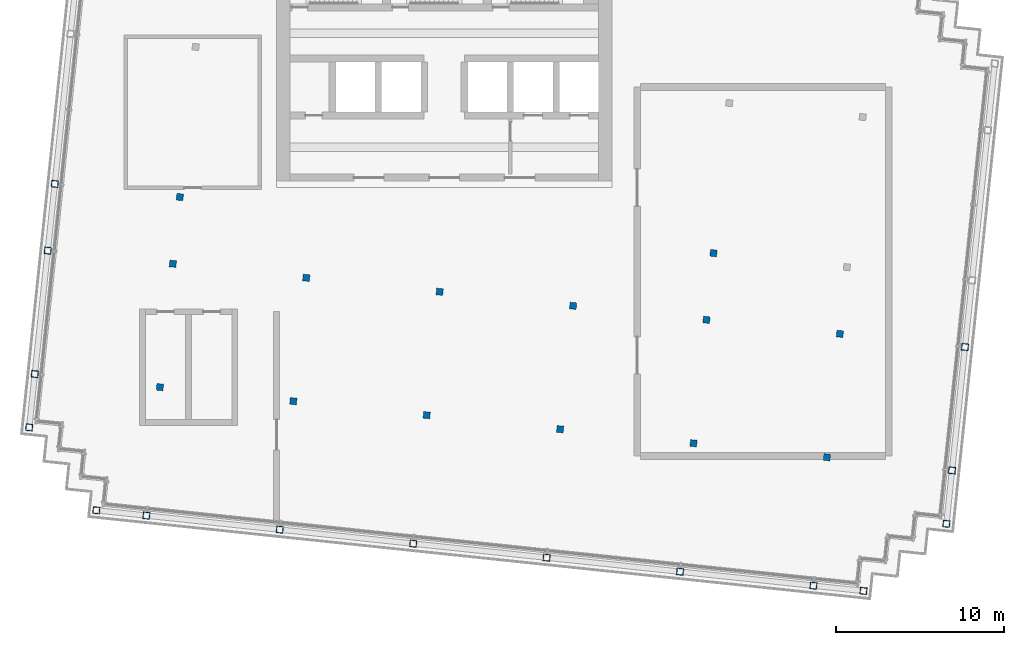
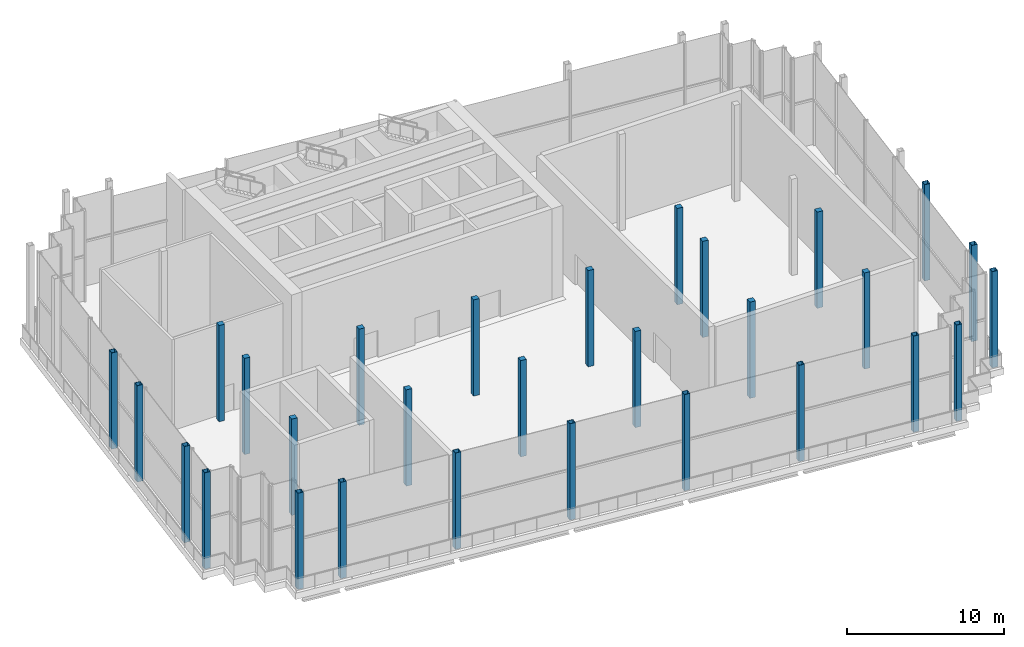
# One storey, part 1 of 14: 29 columns.
"""IFC4 building model written with IfcOpenShell, lengths in metres."""

import ifcopenshell
import ifcopenshell.guid

model = None  # the IFC model being written
_history = None  # IfcOwnerHistory: only IFC2X3 demands one
_inside = {}  # id of a spatial element -> (the spatial element, [elements in it])
_under = {}  # id of a project, library or spatial element -> (it, [spatial elements below it])
_declared = {}  # id of a project -> (the project, [libraries it declares])
_typed = {}  # id of a type object -> (the type object, [elements of that type])
_made_of = {}  # id of a material, layer set ... -> (it, [elements and type objects made of it])


def new_model(schema):
    """Start an empty IFC model of exactly this schema.

    Asked for "IFC4X3", IfcOpenShell would pick the latest addendum, in which some entities
    have other attributes; the version numbers below select the first issue.
    IFC2X3 requires an IfcOwnerHistory on every rooted entity: one is made here for all.
    """
    global model, _history
    if schema == "IFC4X3":
        model = ifcopenshell.file(schema_version=(4, 3, 0, 0))
    else:
        model = ifcopenshell.file(schema=schema)
    _inside.clear()
    _under.clear()
    _declared.clear()
    _typed.clear()
    _made_of.clear()
    _history = None
    if model.schema == "IFC2X3":
        org = make("IfcOrganization", Name="unknown")
        user = make(
            "IfcPersonAndOrganization",
            ThePerson=make("IfcPerson", FamilyName="unknown"),
            TheOrganization=org,
        )
        app = make(
            "IfcApplication",
            ApplicationDeveloper=org,
            Version="unknown",
            ApplicationFullName="unknown",
            ApplicationIdentifier="unknown",
        )
        _history = make(
            "IfcOwnerHistory",
            OwningUser=user,
            OwningApplication=app,
            ChangeAction="ADDED",
            CreationDate=0,
        )
    return model


def make(cls, **values):
    """One entity of the class cls with the attributes given. An attribute that is None is left unset."""
    return model.create_entity(
        cls, **{name: value for name, value in values.items() if value is not None}
    )


def rooted(cls, **values):
    """An entity with a GlobalId (a new one), such as an element, a storey or a relation."""
    return make(cls, GlobalId=ifcopenshell.guid.new(), OwnerHistory=_history, **values)


def si_unit(unit_type, name, prefix=None):
    """IfcSIUnit, for example si_unit("LENGTHUNIT", "METRE", prefix="MILLI")."""
    return make("IfcSIUnit", UnitType=unit_type, Prefix=prefix, Name=name)


def assignment(units):
    """IfcUnitAssignment: the units of a project."""
    return None if units is None else make("IfcUnitAssignment", Units=units)


def point(xyz):
    """IfcCartesianPoint."""
    return None if xyz is None else make("IfcCartesianPoint", Coordinates=xyz)


def direction(xyz):
    """IfcDirection."""
    return None if xyz is None else make("IfcDirection", DirectionRatios=xyz)


def frame(location, z_axis=None, x_axis=None):
    """IfcAxis2Placement3D, a coordinate frame: its origin and axes. An axis left out is left unset."""
    return make(
        "IfcAxis2Placement3D",
        Location=point(location),
        Axis=direction(z_axis),
        RefDirection=direction(x_axis),
    )


def frame_2d(location, x_axis=None):
    """IfcAxis2Placement2D, a coordinate frame in the plane: its origin and x axis."""
    return make(
        "IfcAxis2Placement2D", Location=point(location), RefDirection=direction(x_axis)
    )


def origin():
    """The frame at (0, 0, 0) with its axes left unset."""
    return frame((0.0, 0.0, 0.0))


def origin_2d():
    """The frame at (0, 0) in the plane with its x axis left unset."""
    return frame_2d((0.0, 0.0))


def place(relative_to, where):
    """IfcLocalPlacement: puts the frame where relative to a parent placement (None: the world)."""
    return make(
        "IfcLocalPlacement", PlacementRelTo=relative_to, RelativePlacement=where
    )


def context(
    kind, dimensions, precision=None, world=None, true_north=None, identifier=None
):
    """IfcGeometricRepresentationContext, for example the 3D "Model" context."""
    return make(
        "IfcGeometricRepresentationContext",
        ContextIdentifier=identifier,
        ContextType=kind,
        CoordinateSpaceDimension=dimensions,
        Precision=precision,
        WorldCoordinateSystem=world,
        TrueNorth=true_north,
    )


def subcontext(parent, identifier, kind, view, scale=None):
    """IfcGeometricRepresentationSubContext, for example "Body" below "Model"."""
    return make(
        "IfcGeometricRepresentationSubContext",
        ContextIdentifier=identifier,
        ContextType=kind,
        ParentContext=parent,
        TargetScale=scale,
        TargetView=view,
    )


def project(units=None, contexts=None):
    """IfcProject with its units and contexts."""
    return rooted(
        "IfcProject",
        Name="project",
        RepresentationContexts=contexts,
        UnitsInContext=assignment(units),
    )


def spatial(cls, under=None, at=None, **own):
    """A site, building, storey or space (cls), placed at a placement, below another one or the project."""
    s = rooted(cls, ObjectPlacement=at, **own)
    if under is not None:
        _under.setdefault(under.id(), (under, []))[1].append(s)
    return s


def profile(cls, at=None, kind="AREA", **sizes):
    """A parametric profile (cls). Its sizes go by their IFC names, for example OverallWidth=200.0."""
    return make(cls, ProfileType=kind, Position=at, **sizes)


def rectangle(**sizes):
    """IfcRectangleProfileDef."""
    return profile("IfcRectangleProfileDef", **sizes)


def hollow_rectangle(**sizes):
    """IfcRectangleHollowProfileDef."""
    return profile("IfcRectangleHollowProfileDef", **sizes)


def extrude(swept, where, along, depth):
    """IfcExtrudedAreaSolid: the profile swept, set in the frame where, extruded along a direction by depth."""
    return make(
        "IfcExtrudedAreaSolid",
        SweptArea=swept,
        Position=where,
        ExtrudedDirection=direction(along),
        Depth=depth,
    )


def shape(context_of_items, identifier, shape_type, items):
    """IfcShapeRepresentation: the items that make up one representation, for example the "Body"."""
    return make(
        "IfcShapeRepresentation",
        ContextOfItems=context_of_items,
        RepresentationIdentifier=identifier,
        RepresentationType=shape_type,
        Items=items,
    )


def material(Name=None, Category=None):
    """IfcMaterial."""
    return make("IfcMaterial", Name=Name, Category=Category)


def material_profile(
    of_material, cross_section, Name=None, Category=None, Priority=None
):
    """IfcMaterialProfile: a cross section and its material."""
    return make(
        "IfcMaterialProfile",
        Name=Name,
        Material=of_material,
        Profile=cross_section,
        Priority=Priority,
        Category=Category,
    )


def profile_set(profiles, Name=None, composite=None):
    """IfcMaterialProfileSet."""
    return make(
        "IfcMaterialProfileSet",
        Name=Name,
        MaterialProfiles=profiles,
        CompositeProfile=composite,
    )


def made_of(thing, what):
    """Note that an element or type object is made of a material, layer set ...; save() writes the relation."""
    if what is not None:
        _made_of.setdefault(what.id(), (what, []))[1].append(thing)
    return thing


def type_object(cls, material=None, **own):
    """A type object (cls), such as IfcWallType, which elements share."""
    return made_of(rooted(cls, **own), material)


def element(
    cls,
    number,
    at=None,
    inside=None,
    cuts=None,
    type_object=None,
    material=None,
    context=None,
    identifier="Body",
    shape_type=None,
    held_by="IfcProductDefinitionShape",
    body=None,
    shapes=None,
    **own,
):
    """One element of the class cls, such as IfcWall. Its Tag is "e" and its number.

    at: its placement. inside: the storey or other place that contains it. cuts: it is an
    opening in that element (IfcRelVoidsElement). A single representation is given by context,
    identifier, shape_type and body (its items); several are given by shapes. held_by: the class
    of the entity that holds the representations. save() writes the other relations.
    """
    e = rooted(cls, Tag="e%d" % number, ObjectPlacement=at, **own)
    if body is not None:
        shapes = [shape(context, identifier, shape_type, body)]
    if shapes is not None:
        e.Representation = make(held_by, Representations=shapes)
    if inside is not None:
        _inside.setdefault(inside.id(), (inside, []))[1].append(e)
    if cuts is not None:
        rooted(
            "IfcRelVoidsElement", RelatingBuildingElement=cuts, RelatedOpeningElement=e
        )
    if type_object is not None:
        _typed.setdefault(type_object.id(), (type_object, []))[1].append(e)
    return made_of(e, material)


def aggregate(whole, parts):
    """IfcRelAggregates: a whole, such as a stair, and the parts it consists of."""
    return rooted("IfcRelAggregates", RelatingObject=whole, RelatedObjects=parts)


def save(model, path):
    """Write the relations noted so far, then the file.

    IfcRelAggregates (storeys below a building ...), IfcRelContainedInSpatialStructure (elements
    in a storey), IfcRelDefinesByType, IfcRelAssociatesMaterial and IfcRelDeclares: one each for
    every whole, place, type object, material and project.
    """
    for whole, parts in _under.values():
        aggregate(whole, parts)
    for where, things in _inside.values():
        rooted(
            "IfcRelContainedInSpatialStructure",
            RelatedElements=things,
            RelatingStructure=where,
        )
    for kind, things in _typed.values():
        rooted("IfcRelDefinesByType", RelatedObjects=things, RelatingType=kind)
    for what, things in _made_of.values():
        rooted("IfcRelAssociatesMaterial", RelatedObjects=things, RelatingMaterial=what)
    for by, libraries in _declared.values():
        rooted("IfcRelDeclares", RelatingContext=by, RelatedDefinitions=libraries)
    model.write(path)


model = new_model("IFC4")

# Units and contexts
model_context = context("Model", 3, precision=1e-05, world=origin(), true_north=direction((0.0, 1.0)))
body_context = subcontext(model_context, "Body", "Model", "MODEL_VIEW")
ifc_project = project(units=[si_unit("LENGTHUNIT", "METRE"), si_unit("AREAUNIT", "SQUARE_METRE"), si_unit("VOLUMEUNIT", "CUBIC_METRE"), si_unit("PLANEANGLEUNIT", "RADIAN"), si_unit("MASSUNIT", "GRAM", prefix="KILO")], contexts=[model_context])

# Site, building, storey
site_placement = place(None, origin())
site = spatial("IfcSite", under=ifc_project, at=site_placement, CompositionType="ELEMENT")
building_placement = place(site_placement, origin())
building = spatial("IfcBuilding", under=site, at=building_placement, Name="Vidyagriha Tower", CompositionType="ELEMENT")
storey_placement = place(building_placement, frame((0.0, 0.0, 301.699951171875)))
storey = spatial("IfcBuildingStorey", under=building, at=storey_placement, Name="L78", CompositionType="ELEMENT", Elevation=301.699951171875)

# Columns
ifc_material_1 = material(Name="Steel ASTM A572 Grade 50", Category="steel")
ifc_material_profile_1 = material_profile(ifc_material_1, hollow_rectangle(XDim=0.39990234375, YDim=0.39990234375, WallThickness=0.02001953125, at=origin_2d()), Name="BOX 400x400x20")
ifc_profile_set_1 = profile_set([ifc_material_profile_1], Name="Steel ASTM A572 Grade 50")
column_type_1 = type_object("IfcColumnType", Name="Exoskeleton column BOX 400x400x20", PredefinedType="COLUMN", material=ifc_profile_set_1)
for number, where, z_axis, x_axis, name in (
    (1, (-20.751953125, -13.24267578125, 0.0), (0.0, 0.0, 1.0), (0.994521895368, -0.104528463268, 0.0), "st-col-L78-B6-001"),
    (2, (-17.768310546875, -13.55615234375, 0.0), (0.0, 0.0, 1.0), (0.994521895368, -0.104528463268, 0.0), "st-col-L78-B6-002"),
    (3, (-9.812255859375, -14.392333984375, 0.0), (0.0, 0.0, 1.0), (0.994521895368, -0.104528463268, 0.0), "st-col-L78-B6-003"),
    (4, (-1.856201171875, -15.228515625, 0.0), (0.0, 0.0, 1.0), (0.994521895368, -0.104528463268, 0.0), "st-col-L78-B6-004"),
    (5, (6.10009765625, -16.06494140625, 0.0), (0.0, 0.0, 1.0), (0.994521895368, -0.104528463268, 0.0), "st-col-L78-B6-005"),
    (6, (14.056396484375, -16.901123046875, 0.0), (0.0, 0.0, 1.0), (0.994521895368, -0.104528463268, 0.0), "st-col-L78-B6-006"),
    (7, (22.012451171875, -17.7373046875, 0.0), (0.0, 0.0, 1.0), (0.994521895368, -0.104528463268, 0.0), "st-col-L78-B6-007"),
    (8, (24.99609375, -18.05078125, 0.0), (0.0, 0.0, 1.0), (0.994521895368, -0.104528463268, 0.0), "st-col-L78-B6-008"),
    (9, (-24.757080078125, -8.296875, 0.0), (0.0, 0.0, 1.0), (0.994521895368, -0.104528463268, 0.0), "st-col-L78-B6-009"),
    (10, (29.941650390625, -14.0458984375, 0.0), (0.0, 0.0, 1.0), (0.994521895368, -0.104528463268, 0.0), "st-col-L78-B6-010"),
    (11, (-24.422607421875, -5.114501953125, 0.0), (0.0, 0.0, 1.0), (0.994521895368, -0.104528463268, 0.0), "st-col-L78-B6-011"),
    (12, (30.276123046875, -10.863525390625, 0.0), (0.0, 0.0, 1.0), (0.994521895368, -0.104528463268, 0.0), "st-col-L78-B6-018"),
    (13, (-23.64892578125, 2.2451171875, 0.0), (0.0, 0.0, 1.0), (0.994521895368, -0.104528463268, 0.0), "st-col-L78-B6-019"),
    (14, (31.0498046875, -3.50390625, 0.0), (0.0, 0.0, 1.0), (0.994521895368, -0.104528463268, 0.0), "st-col-L78-B6-026"),
    (15, (-23.23095703125, 6.22314453125, 0.0), (0.0, 0.0, 1.0), (0.994521895368, -0.104528463268, 0.0), "st-col-L78-B6-027"),
):
    element("IfcColumn", number, at=place(storey_placement, frame(where, z_axis=z_axis, x_axis=x_axis)), inside=storey, type_object=column_type_1, Name=name, PredefinedType="COLUMN", context=body_context, shape_type="SweptSolid", body=[
        extrude(hollow_rectangle(XDim=0.39990234375, YDim=0.39990234375, WallThickness=0.02001953125, at=origin_2d()), origin(), (0.0, 0.0, 1.0), 7.5),
    ])
ifc_material_2 = material(Name="Concrete C60/75", Category="concrete")
ifc_material_profile_2 = material_profile(ifc_material_2, rectangle(XDim=0.39990234375, YDim=0.39990234375, at=origin_2d()), Name="RC 400x400")
ifc_profile_set_2 = profile_set([ifc_material_profile_2], Name="Concrete C60/75")
column_type_2 = type_object("IfcColumnType", Name="Frame column RC 400x400", PredefinedType="COLUMN", material=ifc_profile_set_2)
for number, where, z_axis, x_axis, name in (
    (16, (-16.963623046875, -5.8984375, 0.0), (0.0, 0.0, 1.0), (0.994521895368, -0.104528463268, 0.0), "st-col-L78-B6-012"),
    (17, (-9.00732421875, -6.734619140625, 0.0), (0.0, 0.0, 1.0), (0.994521895368, -0.104528463268, 0.0), "st-col-L78-B6-013"),
    (18, (-1.05126953125, -7.57080078125, 0.0), (0.0, 0.0, 1.0), (0.994521895368, -0.104528463268, 0.0), "st-col-L78-B6-014"),
    (19, (6.905029296875, -8.406982421875, 0.0), (0.0, 0.0, 1.0), (0.994521895368, -0.104528463268, 0.0), "st-col-L78-B6-015"),
    (20, (14.861083984375, -9.243408203125, 0.0), (0.0, 0.0, 1.0), (0.994521895368, -0.104528463268, 0.0), "st-col-L78-B6-016"),
    (21, (22.8173828125, -10.07958984375, 0.0), (0.0, 0.0, 1.0), (0.994521895368, -0.104528463268, 0.0), "st-col-L78-B6-017"),
    (22, (-16.190185546875, 1.461181640625, 0.0), (0.0, 0.0, 1.0), (0.994521895368, -0.104528463268, 0.0), "st-col-L78-B6-020"),
    (23, (-8.23388671875, 0.625, 0.0), (0.0, 0.0, 1.0), (0.994521895368, -0.104528463268, 0.0), "st-col-L78-B6-021"),
    (24, (-0.277587890625, -0.21142578125, 0.0), (0.0, 0.0, 1.0), (0.994521895368, -0.104528463268, 0.0), "st-col-L78-B6-022"),
    (25, (7.678466796875, -1.047607421875, 0.0), (0.0, 0.0, 1.0), (0.994521895368, -0.104528463268, 0.0), "st-col-L78-B6-023"),
    (26, (15.634521484375, -1.8837890625, 0.0), (0.0, 0.0, 1.0), (0.994521895368, -0.104528463268, 0.0), "st-col-L78-B6-024"),
    (27, (23.5908203125, -2.72021484375, 0.0), (0.0, 0.0, 1.0), (0.994521895368, -0.104528463268, 0.0), "st-col-L78-B6-025"),
    (28, (-15.77197265625, 5.439208984375, 0.0), (0.0, 0.0, 1.0), (0.994521895368, -0.104528463268, 0.0), "st-col-L78-B6-028"),
    (29, (16.052734375, 2.09423828125, 0.0), (0.0, 0.0, 1.0), (0.994521895368, -0.104528463268, 0.0), "st-col-L78-B6-029"),
):
    element("IfcColumn", number, at=place(storey_placement, frame(where, z_axis=z_axis, x_axis=x_axis)), inside=storey, type_object=column_type_2, Name=name, PredefinedType="COLUMN", context=body_context, shape_type="SweptSolid", body=[
        extrude(rectangle(XDim=0.39990234375, YDim=0.39990234375, at=origin_2d()), origin(), (0.0, 0.0, 1.0), 7.5),
    ])

save(model, "model.ifc")
